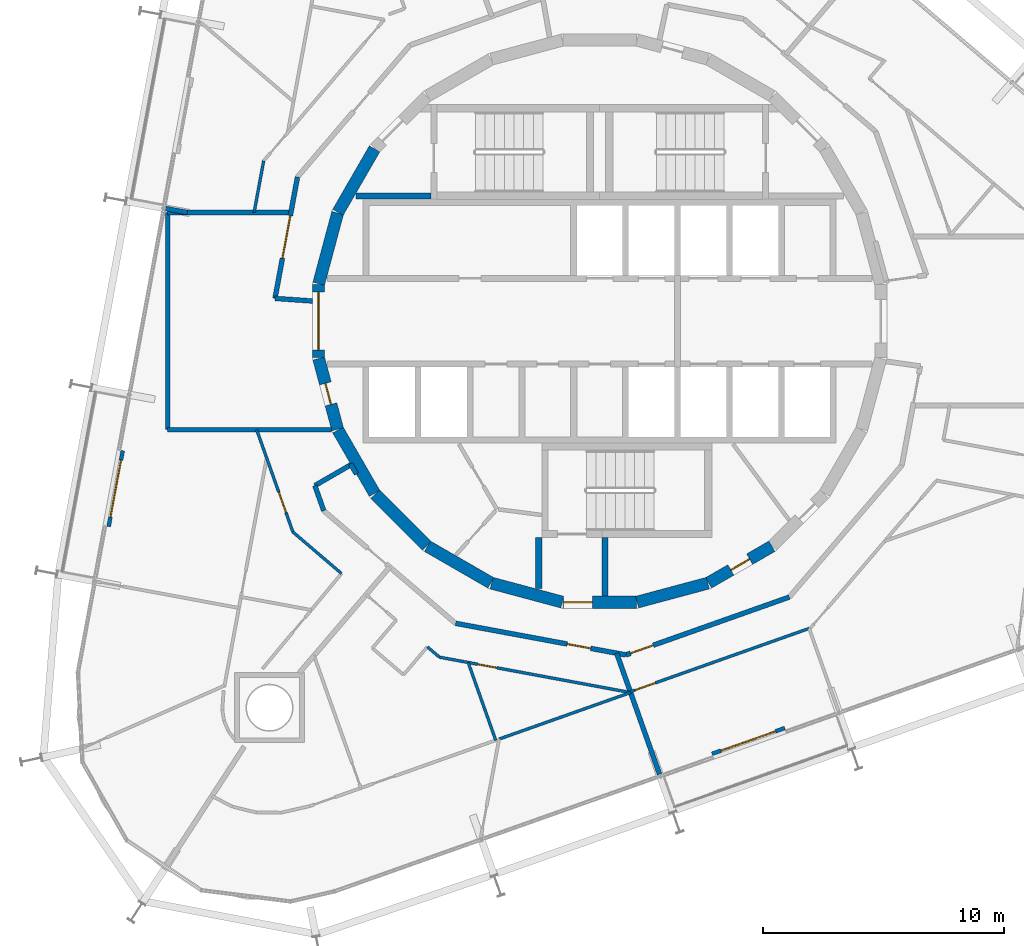
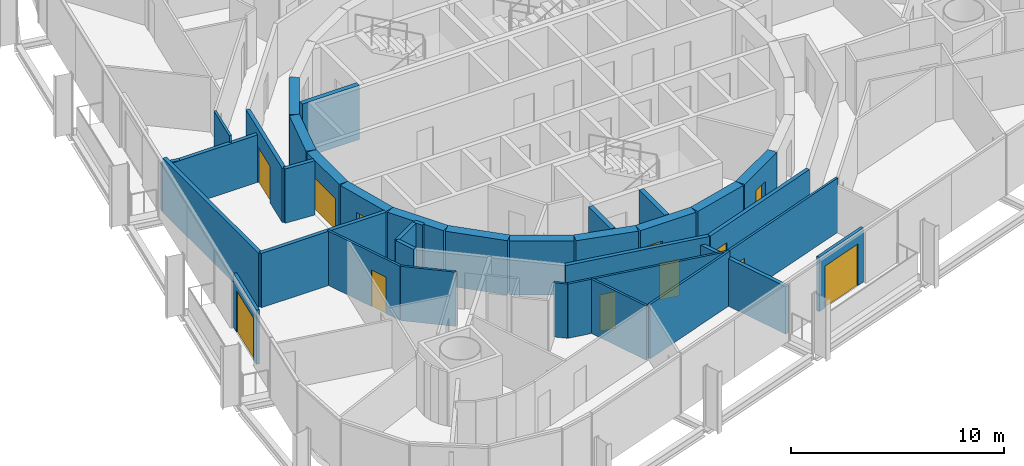
# One storey, part 11 of 17: 36 walls, 12 doors, 12 openings.
"""IFC4 building model written with IfcOpenShell, lengths in metres."""

from ifc_helpers import new_model, si_unit, direction, frame, frame_2d, origin, place, context, subcontext, project, spatial, rectangle, extrude, material, layer, layer_set, type_object, element, fill, save


model = new_model("IFC4")

# Units and contexts
model_context = context("Model", 3, precision=1e-05, world=origin(), true_north=direction((0.0, 1.0)))
body_context = subcontext(model_context, "Body", "Model", "MODEL_VIEW")
ifc_project = project(units=[si_unit("LENGTHUNIT", "METRE"), si_unit("AREAUNIT", "SQUARE_METRE"), si_unit("VOLUMEUNIT", "CUBIC_METRE"), si_unit("PLANEANGLEUNIT", "RADIAN"), si_unit("MASSUNIT", "GRAM", prefix="KILO")], contexts=[model_context])

# Site, building, storey
site_placement = place(None, origin())
site = spatial("IfcSite", under=ifc_project, at=site_placement, CompositionType="ELEMENT")
building_placement = place(site_placement, origin())
building = spatial("IfcBuilding", under=site, at=building_placement, Name="Spindle Arch Residences", CompositionType="ELEMENT")
storey_placement = place(building_placement, frame((0.0, 0.0, 155.199951171875)))
storey = spatial("IfcBuildingStorey", under=building, at=storey_placement, Name="L38", CompositionType="ELEMENT", Elevation=155.199951171875)

# Wall
ifc_material_1 = material(Name="Concrete C50/60", Category="concrete")
ifc_layer_1 = layer(ifc_material_1, 0.5)
ifc_layer_set_1 = layer_set([ifc_layer_1], Name="Core outline wall 500")
wall_type_1 = type_object("IfcWallType", Name="Core outline wall 500", PredefinedType="SHEAR", material=ifc_layer_set_1)
wall_1_placement = place(storey_placement, frame((1.5498046875, -11.642822265625, 0.0), z_axis=(0.0, 0.0, 1.0), x_axis=(0.965948410781, 0.258734743916, 0.0)))
element("IfcWall", 1, at=wall_1_placement, inside=storey, type_object=wall_type_1, Name="Core outline wall 1", PredefinedType="SHEAR", context=body_context, shape_type="SweptSolid", body=[
    extrude(rectangle(XDim=3.03271484375, YDim=0.5, at=frame_2d((1.516357421875, 0.0))), origin(), (0.0, 0.0, 1.0), 3.1201171875),
])

# Wall, opening, door
wall_2_placement = place(storey_placement, frame((4.510498046875, -10.84521484375, 0.0), z_axis=(0.0, 0.0, 1.0), x_axis=(0.865975092491, 0.500087131594, 0.0)))
wall_2 = element("IfcWall", 2, at=wall_2_placement, inside=storey, type_object=wall_type_1, Name="Core outline wall 2", PredefinedType="SHEAR", context=body_context, shape_type="SweptSolid", body=[
    extrude(rectangle(XDim=3.03271484375, YDim=0.5, at=frame_2d((1.516357421875, 0.0))), origin(), (0.0, 0.0, 1.0), 3.1201171875),
])
opening_1_placement = place(wall_2_placement, frame((1.06640625, 0.0, 0.0)))
opening_1 = element("IfcOpeningElement", 3, at=opening_1_placement, cuts=wall_2, Name="Opening R4A1-WD08", PredefinedType="OPENING", context=body_context, shape_type="SweptSolid", body=[
    extrude(rectangle(XDim=0.89990234375, YDim=2.10009765625, at=frame_2d((0.449951171875, 1.050048828125))), frame((0.0, 0.260009765625, 0.0), z_axis=(0.0, -1.0, 0.0), x_axis=(1.0, 0.0, 0.0)), (0.0, 0.0, 1.0), 0.52001953125),
])
ifc_material_2 = material(Name="Steel, fire-resisting door", Category="steel")
door_type_1 = type_object("IfcDoorType", Name="Service room door 900x2100", OperationType="SINGLE_SWING_LEFT", PredefinedType="DOOR", material=ifc_material_2)
door_1_placement = place(opening_1_placement, origin())
door_1 = element("IfcDoor", 4, at=door_1_placement, inside=storey, type_object=door_type_1, Name="Service room door R4A1-WD08", OperationType="SINGLE_SWING_RIGHT", OverallHeight=2.10009765625, OverallWidth=0.89990234375, PredefinedType="DOOR", context=body_context, shape_type="SweptSolid", body=[
    extrude(rectangle(XDim=0.89990234375, YDim=2.10009765625, at=frame_2d((0.449951171875, 1.050048828125))), frame((0.0, 0.02490234375, 0.0), z_axis=(0.0, -1.0, 0.0), x_axis=(1.0, 0.0, 0.0)), (0.0, 0.0, 1.0), 0.050048828125),
])
fill(opening_1, door_1)

# Walls
for number, where, z_axis, x_axis, name in (
    (5, (-9.32861328125, 7.13671875, 0.0), (0.0, 0.0, 1.0), (-0.500087131594, -0.865975092491, 0.0), "Core outline wall 16"),
    (6, (-10.858154296875, 4.479248046875, 0.0), (0.0, 0.0, 1.0), (-0.258734743916, -0.965948410781, 0.0), "Core outline wall 17"),
):
    element("IfcWall", number, at=place(storey_placement, frame(where, z_axis=z_axis, x_axis=x_axis)), inside=storey, type_object=wall_type_1, Name=name, PredefinedType="SHEAR", context=body_context, shape_type="SweptSolid", body=[
        extrude(rectangle(XDim=3.03271484375, YDim=0.5, at=frame_2d((1.516357421875, 0.0))), origin(), (0.0, 0.0, 1.0), 3.1201171875),
    ])

# Wall, opening, door
wall_3_placement = place(storey_placement, frame((-11.647216796875, 1.516357421875, 0.0), z_axis=(0.0, 0.0, 1.0), x_axis=(0.0, -1.0, 0.0)))
wall_3 = element("IfcWall", 7, at=wall_3_placement, inside=storey, type_object=wall_type_1, Name="Core outline wall 18", PredefinedType="SHEAR", context=body_context, shape_type="SweptSolid", body=[
    extrude(rectangle(XDim=3.03271484375, YDim=0.5, at=frame_2d((1.516357421875, 0.0))), origin(), (0.0, 0.0, 1.0), 3.1201171875),
])
opening_2_placement = place(wall_3_placement, frame((0.31640625, 0.0, 0.0)))
opening_2 = element("IfcOpeningElement", 8, at=opening_2_placement, cuts=wall_3, Name="Opening R4A1-LE01", PredefinedType="OPENING", context=body_context, shape_type="SweptSolid", body=[
    extrude(rectangle(XDim=2.39990234375, YDim=2.10009765625, at=frame_2d((1.199951171875, 1.050048828125))), frame((0.0, 0.260009765625, 0.0), z_axis=(0.0, -1.0, 0.0), x_axis=(1.0, 0.0, 0.0)), (0.0, 0.0, 1.0), 0.52001953125),
])
ifc_material_3 = material(Name="Steel, fire-resisting door", Category="steel")
door_type_2 = type_object("IfcDoorType", Name="Lift lobby entrance door 2400x2100", OperationType="DOUBLE_DOOR_SINGLE_SWING", PredefinedType="DOOR", material=ifc_material_3)
door_2_placement = place(opening_2_placement, origin())
door_2 = element("IfcDoor", 9, at=door_2_placement, inside=storey, type_object=door_type_2, Name="Lift lobby entrance door R4A1-LE01", OperationType="DOUBLE_DOOR_SINGLE_SWING", OverallHeight=2.10009765625, OverallWidth=2.39990234375, PredefinedType="DOOR", context=body_context, shape_type="SweptSolid", body=[
    extrude(rectangle(XDim=2.39990234375, YDim=2.10009765625, at=frame_2d((1.199951171875, 1.050048828125))), frame((0.0, 0.02490234375, 0.0), z_axis=(0.0, -1.0, 0.0), x_axis=(1.0, 0.0, 0.0)), (0.0, 0.0, 1.0), 0.050048828125),
])
fill(opening_2, door_2)

wall_4_placement = place(storey_placement, frame((-11.642822265625, -1.5498046875, 0.0), z_axis=(0.0, 0.0, 1.0), x_axis=(0.258734743916, -0.965948410781, 0.0)))
wall_4 = element("IfcWall", 10, at=wall_4_placement, inside=storey, type_object=wall_type_1, Name="Core outline wall 19", PredefinedType="SHEAR", context=body_context, shape_type="SweptSolid", body=[
    extrude(rectangle(XDim=3.03271484375, YDim=0.5, at=frame_2d((1.516357421875, 0.0))), origin(), (0.0, 0.0, 1.0), 3.1201171875),
])
opening_3_placement = place(wall_4_placement, frame((1.06640625, 0.0, 0.0)))
opening_3 = element("IfcOpeningElement", 11, at=opening_3_placement, cuts=wall_4, Name="Opening R4A1-WD10", PredefinedType="OPENING", context=body_context, shape_type="SweptSolid", body=[
    extrude(rectangle(XDim=0.89990234375, YDim=2.10009765625, at=frame_2d((0.449951171875, 1.050048828125))), frame((0.0, 0.260009765625, 0.0), z_axis=(0.0, -1.0, 0.0), x_axis=(1.0, 0.0, 0.0)), (0.0, 0.0, 1.0), 0.52001953125),
])
door_3_placement = place(opening_3_placement, origin())
door_3 = element("IfcDoor", 12, at=door_3_placement, inside=storey, type_object=door_type_1, Name="Service room door R4A1-WD10", OperationType="SINGLE_SWING_RIGHT", OverallHeight=2.10009765625, OverallWidth=0.89990234375, PredefinedType="DOOR", context=body_context, shape_type="SweptSolid", body=[
    extrude(rectangle(XDim=0.89990234375, YDim=2.10009765625, at=frame_2d((0.449951171875, 1.050048828125))), frame((0.0, 0.02490234375, 0.0), z_axis=(0.0, -1.0, 0.0), x_axis=(1.0, 0.0, 0.0)), (0.0, 0.0, 1.0), 0.050048828125),
])
fill(opening_3, door_3)

# Walls
wall_5_placement = place(storey_placement, frame((-10.84521484375, -4.510498046875, 0.0), z_axis=(0.0, 0.0, 1.0), x_axis=(0.500087131594, -0.865975092491, 0.0)))
element("IfcWall", 13, at=wall_5_placement, inside=storey, type_object=wall_type_1, Name="Core outline wall 20", PredefinedType="SHEAR", context=body_context, shape_type="SweptSolid", body=[
    extrude(rectangle(XDim=3.03271484375, YDim=0.5, at=frame_2d((1.516357421875, 0.0))), origin(), (0.0, 0.0, 1.0), 3.1201171875),
])
wall_6_placement = place(storey_placement, frame((-9.30810546875, -7.163818359375, 0.0), z_axis=(0.0, 0.0, 1.0), x_axis=(0.707106781187, -0.707106781187, 0.0)))
element("IfcWall", 14, at=wall_6_placement, inside=storey, type_object=wall_type_1, Name="Core outline wall 21", PredefinedType="SHEAR", context=body_context, shape_type="SweptSolid", body=[
    extrude(rectangle(XDim=3.032470703125, YDim=0.5, at=frame_2d((1.51611328125, 0.0))), origin(), (0.0, 0.0, 1.0), 3.1201171875),
])
for number, where, z_axis, x_axis, name in (
    (15, (-7.13671875, -9.32861328125, 0.0), (0.0, 0.0, 1.0), (0.865975092491, -0.500087131594, 0.0), "Core outline wall 22"),
    (16, (-4.479248046875, -10.858154296875, 0.0), (0.0, 0.0, 1.0), (0.965948410781, -0.258734743916, 0.0), "Core outline wall 23"),
):
    element("IfcWall", number, at=place(storey_placement, frame(where, z_axis=z_axis, x_axis=x_axis)), inside=storey, type_object=wall_type_1, Name=name, PredefinedType="SHEAR", context=body_context, shape_type="SweptSolid", body=[
        extrude(rectangle(XDim=3.03271484375, YDim=0.5, at=frame_2d((1.516357421875, 0.0))), origin(), (0.0, 0.0, 1.0), 3.1201171875),
    ])

# Wall, opening, door
wall_7_placement = place(storey_placement, frame((-1.516357421875, -11.647216796875, 0.0), z_axis=(0.0, 0.0, 1.0), x_axis=(1.0, 0.0, 0.0)))
wall_7 = element("IfcWall", 17, at=wall_7_placement, inside=storey, type_object=wall_type_1, Name="Core outline wall 24", PredefinedType="SHEAR", context=body_context, shape_type="SweptSolid", body=[
    extrude(rectangle(XDim=3.03271484375, YDim=0.5, at=frame_2d((1.516357421875, 0.0))), origin(), (0.0, 0.0, 1.0), 3.1201171875),
])
opening_4_placement = place(wall_7_placement, frame((0.016357421875, 0.0, 0.0)))
opening_4 = element("IfcOpeningElement", 18, at=opening_4_placement, cuts=wall_7, Name="Opening R4A1-AD03", PredefinedType="OPENING", context=body_context, shape_type="SweptSolid", body=[
    extrude(rectangle(XDim=1.199951171875, YDim=2.10009765625, at=frame_2d((0.60009765625, 1.050048828125))), frame((0.0, 0.260009765625, 0.0), z_axis=(0.0, -1.0, 0.0), x_axis=(1.0, 0.0, 0.0)), (0.0, 0.0, 1.0), 0.52001953125),
])
ifc_material_4 = material(Name="Steel, fire-resisting door", Category="steel")
door_type_3 = type_object("IfcDoorType", Name="Stair airlock door 1200x2100", OperationType="SINGLE_SWING_LEFT", PredefinedType="DOOR", material=ifc_material_4)
door_4_placement = place(opening_4_placement, origin())
door_4 = element("IfcDoor", 19, at=door_4_placement, inside=storey, type_object=door_type_3, Name="Stair airlock door R4A1-AD03", OperationType="SINGLE_SWING_RIGHT", OverallHeight=2.10009765625, OverallWidth=1.199951171875, PredefinedType="DOOR", context=body_context, shape_type="SweptSolid", body=[
    extrude(rectangle(XDim=1.199951171875, YDim=2.10009765625, at=frame_2d((0.60009765625, 1.050048828125))), frame((0.0, 0.02490234375, 0.0), z_axis=(0.0, -1.0, 0.0), x_axis=(1.0, 0.0, 0.0)), (0.0, 0.0, 1.0), 0.050048828125),
])
fill(opening_4, door_4)

# Walls
ifc_material_5 = material(Name="Calcium silicate block, plastered")
ifc_layer_2 = layer(ifc_material_5, 0.199951171875)
ifc_layer_set_2 = layer_set([ifc_layer_2], Name="Corridor wall 200")
wall_type_2 = type_object("IfcWallType", Name="Corridor wall 200", PredefinedType="STANDARD", material=ifc_layer_set_2)
wall_8_placement = place(storey_placement, frame((-10.323486328125, -5.9140625, 0.0), z_axis=(0.0, 0.0, 1.0), x_axis=(0.500137201729, -0.865946175837, 0.0)))
element("IfcWall", 20, at=wall_8_placement, inside=storey, type_object=wall_type_2, Name="Corridor wall R4A1-W014", PredefinedType="STANDARD", context=body_context, shape_type="SweptSolid", body=[
    extrude(rectangle(XDim=0.492431640625, YDim=0.199951171875, at=frame_2d((0.24609375, 0.0))), origin(), (0.0, 0.0, 1.0), 3.1201171875),
])
wall_9_placement = place(storey_placement, frame((-10.303466796875, -5.94873046875, 0.0), z_axis=(0.0, 0.0, 1.0), x_axis=(-0.866021168401, -0.500007335828, 0.0)))
element("IfcWall", 21, at=wall_9_placement, inside=storey, type_object=wall_type_2, Name="Corridor wall R4A1-W015", PredefinedType="STANDARD", context=body_context, shape_type="SweptSolid", body=[
    extrude(rectangle(XDim=1.73095703125, YDim=0.199951171875, at=frame_2d((0.865478515625, 0.0))), origin(), (0.0, 0.0, 1.0), 3.1201171875),
])
wall_10_placement = place(storey_placement, frame((-11.802490234375, -6.814208984375, 0.0), z_axis=(0.0, 0.0, 1.0), x_axis=(0.333904297771, -0.942606980629, 0.0)))
element("IfcWall", 22, at=wall_10_placement, inside=storey, type_object=wall_type_2, Name="Corridor wall R4A1-W016", PredefinedType="STANDARD", context=body_context, shape_type="SweptSolid", body=[
    extrude(rectangle(XDim=1.10693359375, YDim=0.199951171875, at=frame_2d((0.553466796875, 0.0))), origin(), (0.0, 0.0, 1.0), 3.1201171875),
])

# Wall, opening, door
wall_11_placement = place(storey_placement, frame((-5.972412109375, -12.521240234375, 0.0), z_axis=(0.0, 0.0, 1.0), x_axis=(0.983256068163, -0.18222926335, 0.0)))
wall_11 = element("IfcWall", 23, at=wall_11_placement, inside=storey, type_object=wall_type_2, Name="Corridor wall R4A1-W018", PredefinedType="STANDARD", context=body_context, shape_type="SweptSolid", body=[
    extrude(rectangle(XDim=7.180908203125, YDim=0.199951171875, at=frame_2d((3.59033203125, 0.0))), origin(), (0.0, 0.0, 1.0), 3.1201171875),
])
opening_5_placement = place(wall_11_placement, frame((4.699951171875, 0.0, 0.0)))
opening_5 = element("IfcOpeningElement", 24, at=opening_5_placement, cuts=wall_11, Name="Opening R4A1-FD05", PredefinedType="OPENING", context=body_context, shape_type="SweptSolid", body=[
    extrude(rectangle(XDim=1.0, YDim=2.10009765625, at=frame_2d((0.5, 1.050048828125))), frame((0.0, 0.10986328125, 0.0), z_axis=(0.0, -1.0, 0.0), x_axis=(1.0, 0.0, 0.0)), (0.0, 0.0, 1.0), 0.219970703125),
])
ifc_material_6 = material(Name="Timber, fire-resisting door set", Category="wood")
door_type_4 = type_object("IfcDoorType", Name="Flat entrance door 1000x2100", OperationType="NOTDEFINED", PredefinedType="DOOR", material=ifc_material_6)
door_5_placement = place(opening_5_placement, origin())
door_5 = element("IfcDoor", 25, at=door_5_placement, inside=storey, type_object=door_type_4, Name="Flat entrance door R4A1-FD05", OperationType="SINGLE_SWING_LEFT", OverallHeight=2.10009765625, OverallWidth=1.0, PredefinedType="DOOR", context=body_context, shape_type="SweptSolid", body=[
    extrude(rectangle(XDim=1.0, YDim=2.10009765625, at=frame_2d((0.5, 1.050048828125))), frame((0.0, 0.02490234375, 0.0), z_axis=(0.0, -1.0, 0.0), x_axis=(1.0, 0.0, 0.0)), (0.0, 0.0, 1.0), 0.050048828125),
])
fill(opening_5, door_5)

wall_12_placement = place(storey_placement, frame((1.08837890625, -13.829833984375, 0.0), z_axis=(0.0, 0.0, 1.0), x_axis=(0.942648397945, 0.333787354241, 0.0)))
wall_12 = element("IfcWall", 26, at=wall_12_placement, inside=storey, type_object=wall_type_2, Name="Corridor wall R4A1-W019", PredefinedType="STANDARD", context=body_context, shape_type="SweptSolid", body=[
    extrude(rectangle(XDim=7.18115234375, YDim=0.199951171875, at=frame_2d((3.590576171875, 0.0))), origin(), (0.0, 0.0, 1.0), 3.1201171875),
])
opening_6_placement = place(wall_12_placement, frame((0.199951171875, 0.0, 0.0)))
opening_6 = element("IfcOpeningElement", 27, at=opening_6_placement, cuts=wall_12, Name="Opening R4A1-FD06", PredefinedType="OPENING", context=body_context, shape_type="SweptSolid", body=[
    extrude(rectangle(XDim=1.0, YDim=2.10009765625, at=frame_2d((0.5, 1.050048828125))), frame((0.0, 0.10986328125, 0.0), z_axis=(0.0, -1.0, 0.0), x_axis=(1.0, 0.0, 0.0)), (0.0, 0.0, 1.0), 0.219970703125),
])
door_6_placement = place(opening_6_placement, origin())
door_6 = element("IfcDoor", 28, at=door_6_placement, inside=storey, type_object=door_type_4, Name="Flat entrance door R4A1-FD06", OperationType="SINGLE_SWING_LEFT", OverallHeight=2.10009765625, OverallWidth=1.0, PredefinedType="DOOR", context=body_context, shape_type="SweptSolid", body=[
    extrude(rectangle(XDim=1.0, YDim=2.10009765625, at=frame_2d((0.5, 1.050048828125))), frame((0.0, 0.02490234375, 0.0), z_axis=(0.0, -1.0, 0.0), x_axis=(1.0, 0.0, 0.0)), (0.0, 0.0, 1.0), 0.050048828125),
])
fill(opening_6, door_6)

# Wall
ifc_material_7 = material(Name="Plasterboard on steel studs", Category="steel")
ifc_layer_3 = layer(ifc_material_7, 0.1201171875)
ifc_layer_set_3 = layer_set([ifc_layer_3], Name="Flat partition 120")
wall_type_3 = type_object("IfcWallType", Name="Flat partition 120", PredefinedType="PARTITIONING", material=ifc_layer_set_3)
wall_13_placement = place(storey_placement, frame((-13.9228515625, 6.640869140625, 0.0), z_axis=(0.0, 0.0, 1.0), x_axis=(-0.182209715759, -0.983259690765, 0.0)))
element("IfcWall", 29, at=wall_13_placement, inside=storey, type_object=wall_type_3, Name="Flat partition R4A1-W074", PredefinedType="PARTITIONING", context=body_context, shape_type="SweptSolid", body=[
    extrude(rectangle(XDim=2.17724609375, YDim=0.1201171875, at=frame_2d((1.088623046875, 0.0))), origin(), (0.0, 0.0, 1.0), 3.1201171875),
])

# Wall, opening, door
wall_14_placement = place(storey_placement, frame((-14.213134765625, -4.5, 0.0), z_axis=(0.0, 0.0, 1.0), x_axis=(0.333802904542, -0.942642891513, 0.0)))
wall_14 = element("IfcWall", 30, at=wall_14_placement, inside=storey, type_object=wall_type_3, Name="Flat partition R4A1-W085", PredefinedType="PARTITIONING", context=body_context, shape_type="SweptSolid", body=[
    extrude(rectangle(XDim=4.4951171875, YDim=0.1201171875, at=frame_2d((2.24755859375, 0.0))), origin(), (0.0, 0.0, 1.0), 3.1201171875),
])
opening_7_placement = place(wall_14_placement, frame((2.744384765625, 0.0, 0.0)))
opening_7 = element("IfcOpeningElement", 31, at=opening_7_placement, cuts=wall_14, Name="Opening R4A1-ID16", PredefinedType="OPENING", context=body_context, shape_type="SweptSolid", body=[
    extrude(rectangle(XDim=0.89990234375, YDim=2.10009765625, at=frame_2d((0.449951171875, 1.050048828125))), frame((0.0, 0.070068359375, 0.0), z_axis=(0.0, -1.0, 0.0), x_axis=(1.0, 0.0, 0.0)), (0.0, 0.0, 1.0), 0.14013671875),
])
ifc_material_8 = material(Name="Timber door set", Category="wood")
door_type_5 = type_object("IfcDoorType", Name="Room door 900x2100", OperationType="NOTDEFINED", PredefinedType="DOOR", material=ifc_material_8)
door_7_placement = place(opening_7_placement, origin())
door_7 = element("IfcDoor", 32, at=door_7_placement, inside=storey, type_object=door_type_5, Name="Room door R4A1-ID16", OperationType="SINGLE_SWING_RIGHT", OverallHeight=2.10009765625, OverallWidth=0.89990234375, PredefinedType="DOOR", context=body_context, shape_type="SweptSolid", body=[
    extrude(rectangle(XDim=0.89990234375, YDim=2.10009765625, at=frame_2d((0.449951171875, 1.050048828125))), frame((0.0, 0.02490234375, 0.0), z_axis=(0.0, -1.0, 0.0), x_axis=(1.0, 0.0, 0.0)), (0.0, 0.0, 1.0), 0.050048828125),
])
fill(opening_7, door_7)

# Walls
wall_15_placement = place(storey_placement, frame((-12.712646484375, -8.7373046875, 0.0), z_axis=(0.0, 0.0, 1.0), x_axis=(0.760400223405, -0.649454771517, 0.0)))
element("IfcWall", 33, at=wall_15_placement, inside=storey, type_object=wall_type_3, Name="Flat partition R4A1-W086", PredefinedType="PARTITIONING", context=body_context, shape_type="SweptSolid", body=[
    extrude(rectangle(XDim=2.6494140625, YDim=0.1201171875, at=frame_2d((1.32470703125, 0.0))), origin(), (0.0, 0.0, 1.0), 3.1201171875),
])
wall_16_placement = place(storey_placement, frame((-7.14013671875, -13.49658203125, 0.0), z_axis=(0.0, 0.0, 1.0), x_axis=(0.760515230334, -0.649320093967, 0.0)))
element("IfcWall", 34, at=wall_16_placement, inside=storey, type_object=wall_type_3, Name="Flat partition R4A1-W100", PredefinedType="PARTITIONING", context=body_context, shape_type="SweptSolid", body=[
    extrude(rectangle(XDim=0.656494140625, YDim=0.1201171875, at=frame_2d((0.328125, 0.0))), origin(), (0.0, 0.0, 1.0), 3.1201171875),
])

# Wall, opening, door
wall_17_placement = place(storey_placement, frame((-6.640869140625, -13.9228515625, 0.0), z_axis=(0.0, 0.0, 1.0), x_axis=(0.983250157272, -0.182261153912, 0.0)))
wall_17 = element("IfcWall", 35, at=wall_17_placement, inside=storey, type_object=wall_type_3, Name="Flat partition R4A1-W101", PredefinedType="PARTITIONING", context=body_context, shape_type="SweptSolid", body=[
    extrude(rectangle(XDim=7.98486328125, YDim=0.1201171875, at=frame_2d((3.992431640625, 0.0))), origin(), (0.0, 0.0, 1.0), 3.1201171875),
])
opening_8_placement = place(wall_17_placement, frame((1.6123046875, 0.0, 0.0)))
opening_8 = element("IfcOpeningElement", 36, at=opening_8_placement, cuts=wall_17, Name="Opening R4A1-BD05", PredefinedType="OPENING", context=body_context, shape_type="SweptSolid", body=[
    extrude(rectangle(XDim=0.800048828125, YDim=2.10009765625, at=frame_2d((0.39990234375, 1.050048828125))), frame((0.0, 0.070068359375, 0.0), z_axis=(0.0, -1.0, 0.0), x_axis=(1.0, 0.0, 0.0)), (0.0, 0.0, 1.0), 0.14013671875),
])
ifc_material_9 = material(Name="Timber door set", Category="wood")
door_type_6 = type_object("IfcDoorType", Name="Bathroom door 800x2100", OperationType="NOTDEFINED", PredefinedType="DOOR", material=ifc_material_9)
door_8_placement = place(opening_8_placement, origin())
door_8 = element("IfcDoor", 37, at=door_8_placement, inside=storey, type_object=door_type_6, Name="Bathroom door R4A1-BD05", OperationType="SINGLE_SWING_LEFT", OverallHeight=2.10009765625, OverallWidth=0.800048828125, PredefinedType="DOOR", context=body_context, shape_type="SweptSolid", body=[
    extrude(rectangle(XDim=0.800048828125, YDim=2.10009765625, at=frame_2d((0.39990234375, 1.050048828125))), frame((0.0, 0.02490234375, 0.0), z_axis=(0.0, -1.0, 0.0), x_axis=(1.0, 0.0, 0.0)), (0.0, 0.0, 1.0), 0.050048828125),
])
fill(opening_8, door_8)

# Walls
wall_18_placement = place(storey_placement, frame((-4.3076171875, -17.366943359375, 0.0), z_axis=(0.0, 0.0, 1.0), x_axis=(-0.333802202677, 0.942643140052, 0.0)))
element("IfcWall", 38, at=wall_18_placement, inside=storey, type_object=wall_type_3, Name="Flat partition R4A1-W108", PredefinedType="PARTITIONING", context=body_context, shape_type="SweptSolid", body=[
    extrude(rectangle(XDim=3.419189453125, YDim=0.1201171875, at=frame_2d((1.70947265625, 0.0))), origin(), (0.0, 0.0, 1.0), 3.1201171875),
])
wall_19_placement = place(storey_placement, frame((-4.169921875, -17.318115234375, 0.0), z_axis=(0.0, 0.0, 1.0), x_axis=(0.942641343532, 0.333807275931, 0.0)))
element("IfcWall", 39, at=wall_19_placement, inside=storey, type_object=wall_type_3, Name="Flat partition R4A1-W110", PredefinedType="PARTITIONING", context=body_context, shape_type="SweptSolid", body=[
    extrude(rectangle(XDim=5.781494140625, YDim=0.1201171875, at=frame_2d((2.890625, 0.0))), origin(), (0.0, 0.0, 1.0), 3.1201171875),
])

# Wall, opening, door
wall_20_placement = place(storey_placement, frame((1.26904296875, -15.357177734375, 0.0), z_axis=(0.0, 0.0, 1.0), x_axis=(0.942639442898, 0.333812643101, 0.0)))
wall_20 = element("IfcWall", 40, at=wall_20_placement, inside=storey, type_object=wall_type_3, Name="Flat partition R4A1-W111", PredefinedType="PARTITIONING", context=body_context, shape_type="SweptSolid", body=[
    extrude(rectangle(XDim=7.860107421875, YDim=0.1201171875, at=frame_2d((3.93017578125, 0.0))), origin(), (0.0, 0.0, 1.0), 3.1201171875),
])
opening_9_placement = place(wall_20_placement, frame((0.199951171875, 0.0, 0.0)))
opening_9 = element("IfcOpeningElement", 41, at=opening_9_placement, cuts=wall_20, Name="Opening R4A1-ID25", PredefinedType="OPENING", context=body_context, shape_type="SweptSolid", body=[
    extrude(rectangle(XDim=0.89990234375, YDim=2.10009765625, at=frame_2d((0.449951171875, 1.050048828125))), frame((0.0, 0.070068359375, 0.0), z_axis=(0.0, -1.0, 0.0), x_axis=(1.0, 0.0, 0.0)), (0.0, 0.0, 1.0), 0.14013671875),
])
door_9_placement = place(opening_9_placement, origin())
door_9 = element("IfcDoor", 42, at=door_9_placement, inside=storey, type_object=door_type_5, Name="Room door R4A1-ID25", OperationType="SINGLE_SWING_LEFT", OverallHeight=2.10009765625, OverallWidth=0.89990234375, PredefinedType="DOOR", context=body_context, shape_type="SweptSolid", body=[
    extrude(rectangle(XDim=0.89990234375, YDim=2.10009765625, at=frame_2d((0.449951171875, 1.050048828125))), frame((0.0, 0.02490234375, 0.0), z_axis=(0.0, -1.0, 0.0), x_axis=(1.0, 0.0, 0.0)), (0.0, 0.0, 1.0), 0.050048828125),
])
fill(opening_9, door_9)

# Walls
ifc_material_10 = material(Name="Calcium silicate block, plastered")
ifc_layer_4 = layer(ifc_material_10, 0.199951171875)
ifc_layer_set_4 = layer_set([ifc_layer_4], Name="Flat party wall 200 under beam 2730")
wall_type_4 = type_object("IfcWallType", Name="Flat party wall 200 under beam 2730", PredefinedType="STANDARD", material=ifc_layer_set_4)
wall_21_placement = place(storey_placement, frame((-17.98388671875, 4.665283203125, 0.0), z_axis=(0.0, 0.0, 1.0), x_axis=(0.98328378843, -0.182079629313, 0.0)))
element("IfcWall", 43, at=wall_21_placement, inside=storey, type_object=wall_type_4, Name="Flat party wall R4A1-W034", PredefinedType="STANDARD", context=body_context, shape_type="SweptSolid", body=[
    extrude(rectangle(XDim=0.90771484375, YDim=0.199951171875, at=frame_2d((0.453857421875, 0.0))), origin(), (0.0, 0.0, 1.0), 2.72998046875),
])
wall_22_placement = place(storey_placement, frame((2.481689453125, -18.78173828125, 0.0), z_axis=(0.0, 0.0, 1.0), x_axis=(-0.333807281402, 0.942641341594, 0.0)))
element("IfcWall", 44, at=wall_22_placement, inside=storey, type_object=wall_type_4, Name="Flat party wall R4A1-W038", PredefinedType="STANDARD", context=body_context, shape_type="SweptSolid", body=[
    extrude(rectangle(XDim=5.328857421875, YDim=0.199951171875, at=frame_2d((2.66455078125, 0.0))), origin(), (0.0, 0.0, 1.0), 2.72998046875),
])

# Wall, opening, door
ifc_material_11 = material(Name="Non-combustible mineral wool insulated aluminium faced external wall (K0)", Category="aluminium")
ifc_layer_5 = layer(ifc_material_11, 0.159912109375)
ifc_layer_set_5 = layer_set([ifc_layer_5], Name="Insulated external wall panel 160")
wall_type_5 = type_object("IfcWallType", Name="Insulated external wall panel 160", PredefinedType="STANDARD", material=ifc_layer_set_5)
wall_23_placement = place(storey_placement, frame((-19.76220703125, -5.36865234375, 0.0), z_axis=(0.0, 0.0, 1.0), x_axis=(-0.18226136951, -0.983250117307, 0.0)))
wall_23 = element("IfcWall", 45, at=wall_23_placement, inside=storey, type_object=wall_type_5, Name="External wall L38 bay 16", PredefinedType="STANDARD", context=body_context, shape_type="SweptSolid", body=[
    extrude(rectangle(XDim=3.2001953125, YDim=0.159912109375, at=frame_2d((1.60009765625, 0.0))), origin(), (0.0, 0.0, 1.0), 3.1201171875),
])
opening_10_placement = place(wall_23_placement, frame((0.39990234375, 0.0, 0.0)))
opening_10 = element("IfcOpeningElement", 46, at=opening_10_placement, cuts=wall_23, Name="Opening BD16", PredefinedType="OPENING", context=body_context, shape_type="SweptSolid", body=[
    extrude(rectangle(XDim=2.39990234375, YDim=2.39990234375, at=frame_2d((1.199951171875, 1.199951171875))), frame((0.0, 0.08984375, 0.0), z_axis=(0.0, -1.0, 0.0), x_axis=(1.0, 0.0, 0.0)), (0.0, 0.0, 1.0), 0.179931640625),
])
ifc_material_12 = material(Name="Bronze aluminium frame, tinted double glazing", Category="aluminium")
door_type_7 = type_object("IfcDoorType", Name="Sliding glazed balcony door 2400x2400", OperationType="DOUBLE_DOOR_SLIDING", PredefinedType="DOOR", material=ifc_material_12)
door_10_placement = place(opening_10_placement, origin())
door_10 = element("IfcDoor", 47, at=door_10_placement, inside=storey, type_object=door_type_7, Name="Balcony door BD16", OperationType="DOUBLE_DOOR_SLIDING", OverallHeight=2.39990234375, OverallWidth=2.39990234375, PredefinedType="DOOR", context=body_context, shape_type="SweptSolid", body=[
    extrude(rectangle(XDim=2.39990234375, YDim=2.39990234375, at=frame_2d((1.199951171875, 1.199951171875))), frame((0.0, 0.02490234375, 0.0), z_axis=(0.0, -1.0, 0.0), x_axis=(1.0, 0.0, 0.0)), (0.0, 0.0, 1.0), 0.050048828125),
])
fill(opening_10, door_10)

wall_24_placement = place(storey_placement, frame((4.651611328125, -17.9287109375, 0.0), z_axis=(0.0, 0.0, 1.0), x_axis=(0.942620722428, 0.333865502335, 0.0)))
wall_24 = element("IfcWall", 48, at=wall_24_placement, inside=storey, type_object=wall_type_5, Name="External wall L38 bay 22", PredefinedType="STANDARD", context=body_context, shape_type="SweptSolid", body=[
    extrude(rectangle(XDim=3.199951171875, YDim=0.159912109375, at=frame_2d((1.60009765625, 0.0))), origin(), (0.0, 0.0, 1.0), 3.1201171875),
])
opening_11_placement = place(wall_24_placement, frame((0.39990234375, 0.0, 0.0)))
opening_11 = element("IfcOpeningElement", 49, at=opening_11_placement, cuts=wall_24, Name="Opening BD22", PredefinedType="OPENING", context=body_context, shape_type="SweptSolid", body=[
    extrude(rectangle(XDim=2.39990234375, YDim=2.39990234375, at=frame_2d((1.199951171875, 1.199951171875))), frame((0.0, 0.08984375, 0.0), z_axis=(0.0, -1.0, 0.0), x_axis=(1.0, 0.0, 0.0)), (0.0, 0.0, 1.0), 0.179931640625),
])
door_11_placement = place(opening_11_placement, origin())
door_11 = element("IfcDoor", 50, at=door_11_placement, inside=storey, type_object=door_type_7, Name="Balcony door BD22", OperationType="DOUBLE_DOOR_SLIDING", OverallHeight=2.39990234375, OverallWidth=2.39990234375, PredefinedType="DOOR", context=body_context, shape_type="SweptSolid", body=[
    extrude(rectangle(XDim=2.39990234375, YDim=2.39990234375, at=frame_2d((1.199951171875, 1.199951171875))), frame((0.0, 0.02490234375, 0.0), z_axis=(0.0, -1.0, 0.0), x_axis=(1.0, 0.0, 0.0)), (0.0, 0.0, 1.0), 0.050048828125),
])
fill(opening_11, door_11)

ifc_material_13 = material(Name="Calcium silicate block, plastered")
ifc_layer_6 = layer(ifc_material_13, 0.199951171875)
ifc_layer_set_6 = layer_set([ifc_layer_6], Name="Lift lobby bay wall 200")
wall_type_6 = type_object("IfcWallType", Name="Lift lobby bay wall 200", PredefinedType="STANDARD", material=ifc_layer_set_6)
wall_25_placement = place(storey_placement, frame((-12.521240234375, 5.972412109375, 0.0), z_axis=(0.0, 0.0, 1.0), x_axis=(-0.182251559718, -0.983251935661, 0.0)))
wall_25 = element("IfcWall", 51, at=wall_25_placement, inside=storey, type_object=wall_type_6, Name="Lift lobby bay wall R4A1-W007", PredefinedType="STANDARD", context=body_context, shape_type="SweptSolid", body=[
    extrude(rectangle(XDim=5.1171875, YDim=0.199951171875, at=frame_2d((2.55859375, 0.0))), origin(), (0.0, 0.0, 1.0), 3.1201171875),
])
opening_12_placement = place(wall_25_placement, frame((1.62744140625, 0.0, 0.0)))
opening_12 = element("IfcOpeningElement", 52, at=opening_12_placement, cuts=wall_25, Name="Opening R4A1-LB01", PredefinedType="OPENING", context=body_context, shape_type="SweptSolid", body=[
    extrude(rectangle(XDim=1.800048828125, YDim=2.10009765625, at=frame_2d((0.89990234375, 1.050048828125))), frame((0.0, 0.10986328125, 0.0), z_axis=(0.0, -1.0, 0.0), x_axis=(1.0, 0.0, 0.0)), (0.0, 0.0, 1.0), 0.219970703125),
])
ifc_material_14 = material(Name="Steel, fire-resisting door", Category="steel")
door_type_8 = type_object("IfcDoorType", Name="Lift lobby bay door 1800x2100", OperationType="NOTDEFINED", PredefinedType="DOOR", material=ifc_material_14)
door_12_placement = place(opening_12_placement, origin())
door_12 = element("IfcDoor", 53, at=door_12_placement, inside=storey, type_object=door_type_8, Name="Lift lobby bay door R4A1-LB01", OperationType="DOUBLE_DOOR_SINGLE_SWING", OverallHeight=2.10009765625, OverallWidth=1.800048828125, PredefinedType="DOOR", context=body_context, shape_type="SweptSolid", body=[
    extrude(rectangle(XDim=1.800048828125, YDim=2.10009765625, at=frame_2d((0.89990234375, 1.050048828125))), frame((0.0, 0.02490234375, 0.0), z_axis=(0.0, -1.0, 0.0), x_axis=(1.0, 0.0, 0.0)), (0.0, 0.0, 1.0), 0.050048828125),
])
fill(opening_12, door_12)

# Walls
wall_26_placement = place(storey_placement, frame((-13.453857421875, 0.94091796875, 0.0), z_axis=(0.0, 0.0, 1.0), x_axis=(0.99755155062, -0.069934997354, 0.0)))
element("IfcWall", 54, at=wall_26_placement, inside=storey, type_object=wall_type_6, Name="Lift lobby bay wall R4A1-W008", PredefinedType="STANDARD", context=body_context, shape_type="SweptSolid", body=[
    extrude(rectangle(XDim=1.560546875, YDim=0.199951171875, at=frame_2d((0.7802734375, 0.0))), origin(), (0.0, 0.0, 1.0), 3.1201171875),
])
wall_27_placement = place(storey_placement, frame((-17.89990234375, -4.5, 0.0), z_axis=(0.0, 0.0, 1.0), x_axis=(1.0, 0.0, 0.0)))
element("IfcWall", 55, at=wall_27_placement, inside=storey, type_object=wall_type_6, Name="Lift lobby bay wall R4A1-W022", PredefinedType="STANDARD", context=body_context, shape_type="SweptSolid", body=[
    extrude(rectangle(XDim=6.78857421875, YDim=0.199951171875, at=frame_2d((3.394287109375, 0.0))), origin(), (0.0, 0.0, 1.0), 3.1201171875),
])
wall_28_placement = place(storey_placement, frame((-17.89990234375, 4.5, 0.0), z_axis=(0.0, 0.0, 1.0), x_axis=(0.0, -1.0, 0.0)))
element("IfcWall", 56, at=wall_28_placement, inside=storey, type_object=wall_type_6, Name="Lift lobby bay wall R4A1-W023", PredefinedType="STANDARD", context=body_context, shape_type="SweptSolid", body=[
    extrude(rectangle(XDim=9.0, YDim=0.199951171875, at=frame_2d((4.5, 0.0))), origin(), (0.0, 0.0, 1.0), 3.1201171875),
])
ifc_material_15 = material(Name="Calcium silicate block, plastered")
ifc_layer_7 = layer(ifc_material_15, 0.199951171875)
ifc_layer_set_7 = layer_set([ifc_layer_7], Name="Lift lobby bay wall 200 under beam 2730")
wall_type_7 = type_object("IfcWallType", Name="Lift lobby bay wall 200 under beam 2730", PredefinedType="STANDARD", material=ifc_layer_set_7)
wall_29_placement = place(storey_placement, frame((-12.794189453125, 4.5, 0.0), z_axis=(0.0, 0.0, 1.0), x_axis=(-1.0, 0.0, 0.0)))
element("IfcWall", 57, at=wall_29_placement, inside=storey, type_object=wall_type_7, Name="Lift lobby bay wall R4A1-W021", PredefinedType="STANDARD", context=body_context, shape_type="SweptSolid", body=[
    extrude(rectangle(XDim=5.105712890625, YDim=0.199951171875, at=frame_2d((2.552734375, 0.0))), origin(), (0.0, 0.0, 1.0), 2.72998046875),
])
ifc_material_16 = material(Name="Concrete C40/50", Category="concrete")
ifc_layer_8 = layer(ifc_material_16, 0.25)
ifc_layer_set_8 = layer_set([ifc_layer_8], Name="Stair airlock wall 250")
wall_type_8 = type_object("IfcWallType", Name="Stair airlock wall 250", PredefinedType="SHEAR", material=ifc_layer_set_8)
wall_30_placement = place(storey_placement, frame((-7.0, 5.175048828125, 0.0), z_axis=(0.0, 0.0, 1.0), x_axis=(-1.0, 0.0, 0.0)))
element("IfcWall", 58, at=wall_30_placement, inside=storey, type_object=wall_type_8, Name="Stair ST-2 airlock wall S", PredefinedType="SHEAR", context=body_context, shape_type="SweptSolid", body=[
    extrude(rectangle(XDim=3.10009765625, YDim=0.25, at=frame_2d((1.550048828125, 0.0))), origin(), (0.0, 0.0, 1.0), 3.1201171875),
])
wall_31_placement = place(storey_placement, frame((-2.52490234375, -8.969970703125, 0.0), z_axis=(0.0, 0.0, 1.0), x_axis=(0.0, -1.0, 0.0)))
element("IfcWall", 59, at=wall_31_placement, inside=storey, type_object=wall_type_8, Name="Stair ST-3 airlock wall W", PredefinedType="SHEAR", context=body_context, shape_type="SweptSolid", body=[
    extrude(rectangle(XDim=2.110107421875, YDim=0.25, at=frame_2d((1.05517578125, 0.0))), origin(), (0.0, 0.0, 1.0), 3.1201171875),
])
wall_32_placement = place(storey_placement, frame((0.22509765625, -8.969970703125, 0.0), z_axis=(0.0, 0.0, 1.0), x_axis=(0.0, -1.0, 0.0)))
element("IfcWall", 60, at=wall_32_placement, inside=storey, type_object=wall_type_8, Name="Stair ST-3 airlock wall E", PredefinedType="SHEAR", context=body_context, shape_type="SweptSolid", body=[
    extrude(rectangle(XDim=2.409912109375, YDim=0.25, at=frame_2d((1.205078125, 0.0))), origin(), (0.0, 0.0, 1.0), 3.1201171875),
])

save(model, "model.ifc")
